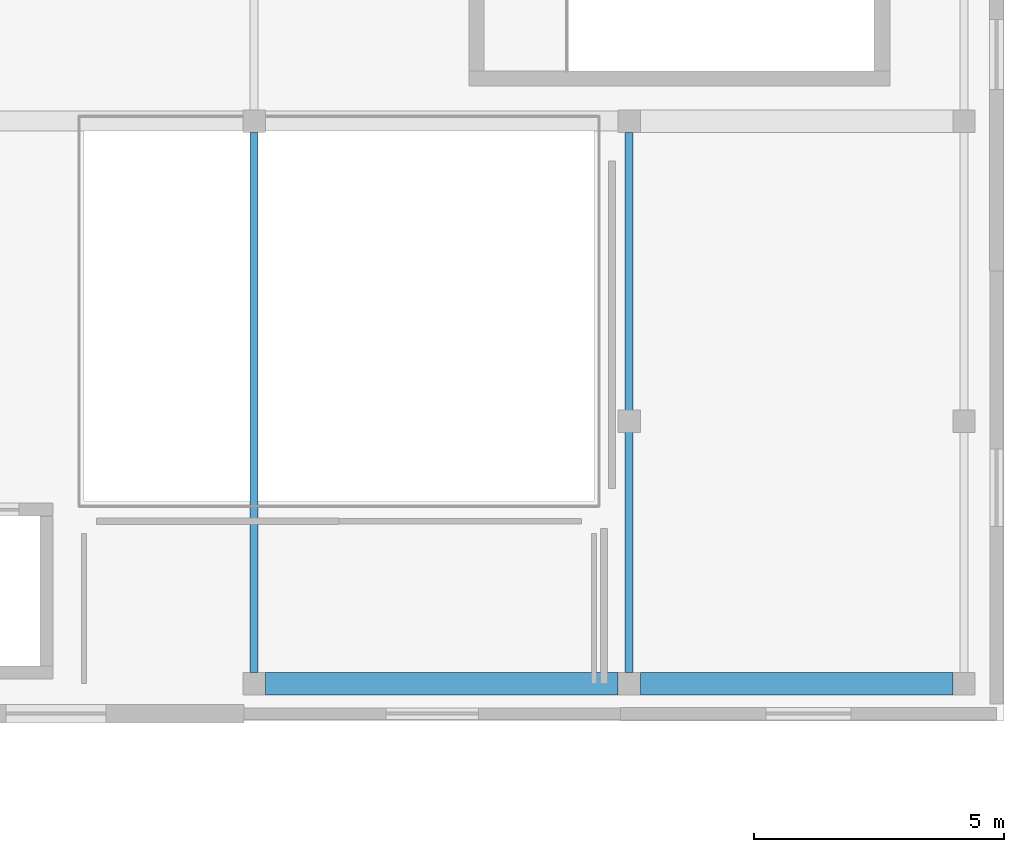
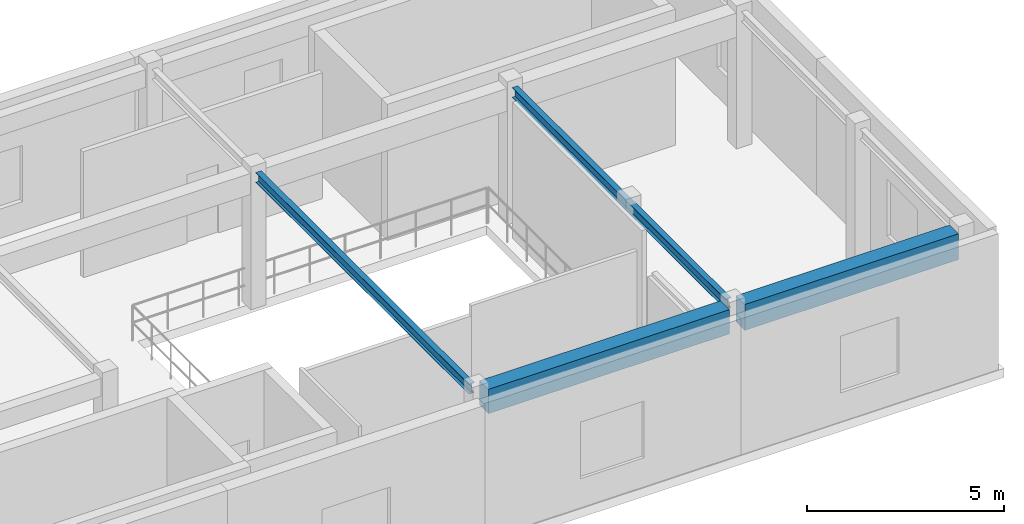
# One storey, part 99 of 142: 4 beams.
"""IFC4 building model written with IfcOpenShell, lengths in metres."""

from ifc_helpers import new_model, si_unit, direction, frame, origin, origin_2d, place, context, subcontext, project, spatial, rectangle, i_section, extrude, material, material_profile, profile_set, type_object, element, save


model = new_model("IFC4")

# Units and contexts
model_context = context("Model", 3, precision=1e-05, world=origin(), true_north=direction((0.0, 1.0)))
body_context = subcontext(model_context, "Body", "Model", "MODEL_VIEW")
ifc_project = project(units=[si_unit("LENGTHUNIT", "METRE"), si_unit("AREAUNIT", "SQUARE_METRE"), si_unit("VOLUMEUNIT", "CUBIC_METRE"), si_unit("PLANEANGLEUNIT", "RADIAN"), si_unit("MASSUNIT", "GRAM", prefix="KILO")], contexts=[model_context])

# Site, building, storey
site_placement = place(None, origin())
site = spatial("IfcSite", under=ifc_project, at=site_placement, CompositionType="ELEMENT")
building_placement = place(site_placement, origin())
building = spatial("IfcBuilding", under=site, at=building_placement, Name="Valcora Specialist Clinic", CompositionType="ELEMENT")
storey_placement = place(building_placement, frame((0.0, 0.0, 5.10009765625)))
storey = spatial("IfcBuildingStorey", under=building, at=storey_placement, Name="L01", CompositionType="ELEMENT", Elevation=5.10009765625)

# Beams
ifc_material_1 = material(Name="Steel ASTM A992 Grade 50", Category="steel")
ifc_material_profile_1 = material_profile(ifc_material_1, i_section(OverallWidth=0.1650390625, OverallDepth=0.31005859375, WebThickness=0.006103515625, FlangeThickness=0.010009765625, at=origin_2d()), Name="ST-IR-310X165")
ifc_profile_set_1 = profile_set([ifc_material_profile_1], Name="Steel ASTM A992 Grade 50")
beam_type_1 = type_object("IfcBeamType", Name="TY-BM-IR310", PredefinedType="BEAM", material=ifc_profile_set_1)
for number, where, z_axis, x_axis, name in (
    (1, (147.0, 38.97509765625, 4.046142578125), (0.0, 1.0, 0.0), (-1.0, 0.0, 0.0), "Beam BM-L01-0440"),
    (2, (154.5, 38.97509765625, 4.046142578125), (0.0, 1.0, 0.0), (-1.0, 0.0, 0.0), "Beam BM-L01-0442"),
):
    element("IfcBeam", number, at=place(storey_placement, frame(where, z_axis=z_axis, x_axis=x_axis)), inside=storey, type_object=beam_type_1, Name=name, PredefinedType="BEAM", context=body_context, shape_type="SweptSolid", body=[
        extrude(i_section(OverallWidth=0.1650390625, OverallDepth=0.31005859375, WebThickness=0.006103515625, FlangeThickness=0.010009765625, at=origin_2d()), origin(), (0.0, 0.0, 1.0), 10.7998046875),
    ])
ifc_material_2 = material(Name="Concrete C40/50", Category="concrete")
ifc_material_profile_2 = material_profile(ifc_material_2, rectangle(XDim=0.449951171875, YDim=0.75, at=origin_2d()), Name="RC-BM-450X750")
ifc_profile_set_2 = profile_set([ifc_material_profile_2], Name="Concrete C40/50")
beam_type_2 = type_object("IfcBeamType", Name="TY-BM-RC450X750", PredefinedType="BEAM", material=ifc_profile_set_2)
beam_1_placement = place(storey_placement, frame((147.22509765625, 38.75, 3.830322265625), z_axis=(1.0, 0.0, 0.0), x_axis=(0.0, 1.0, 0.0)))
element("IfcBeam", 3, at=beam_1_placement, inside=storey, type_object=beam_type_2, Name="Beam BM-L01-0425", PredefinedType="BEAM", context=body_context, shape_type="SweptSolid", body=[
    extrude(rectangle(XDim=0.449951171875, YDim=0.75, at=origin_2d()), origin(), (0.0, 0.0, 1.0), 7.0498046875),
])
ifc_material_profile_3 = material_profile(ifc_material_2, rectangle(XDim=0.449951171875, YDim=0.800048828125, at=origin_2d()), Name="RC-BM-450X800")
ifc_profile_set_3 = profile_set([ifc_material_profile_3], Name="Concrete C40/50")
beam_type_3 = type_object("IfcBeamType", Name="TY-BM-RC450X800", PredefinedType="BEAM", material=ifc_profile_set_3)
beam_2_placement = place(storey_placement, frame((154.72509765625, 38.75, 3.80517578125), z_axis=(1.0, 0.0, 0.0), x_axis=(0.0, 1.0, 0.0)))
element("IfcBeam", 4, at=beam_2_placement, inside=storey, type_object=beam_type_3, Name="Beam BM-L01-0426", PredefinedType="BEAM", context=body_context, shape_type="SweptSolid", body=[
    extrude(rectangle(XDim=0.449951171875, YDim=0.800048828125, at=origin_2d()), origin(), (0.0, 0.0, 1.0), 6.25),
])

save(model, "model.ifc")
